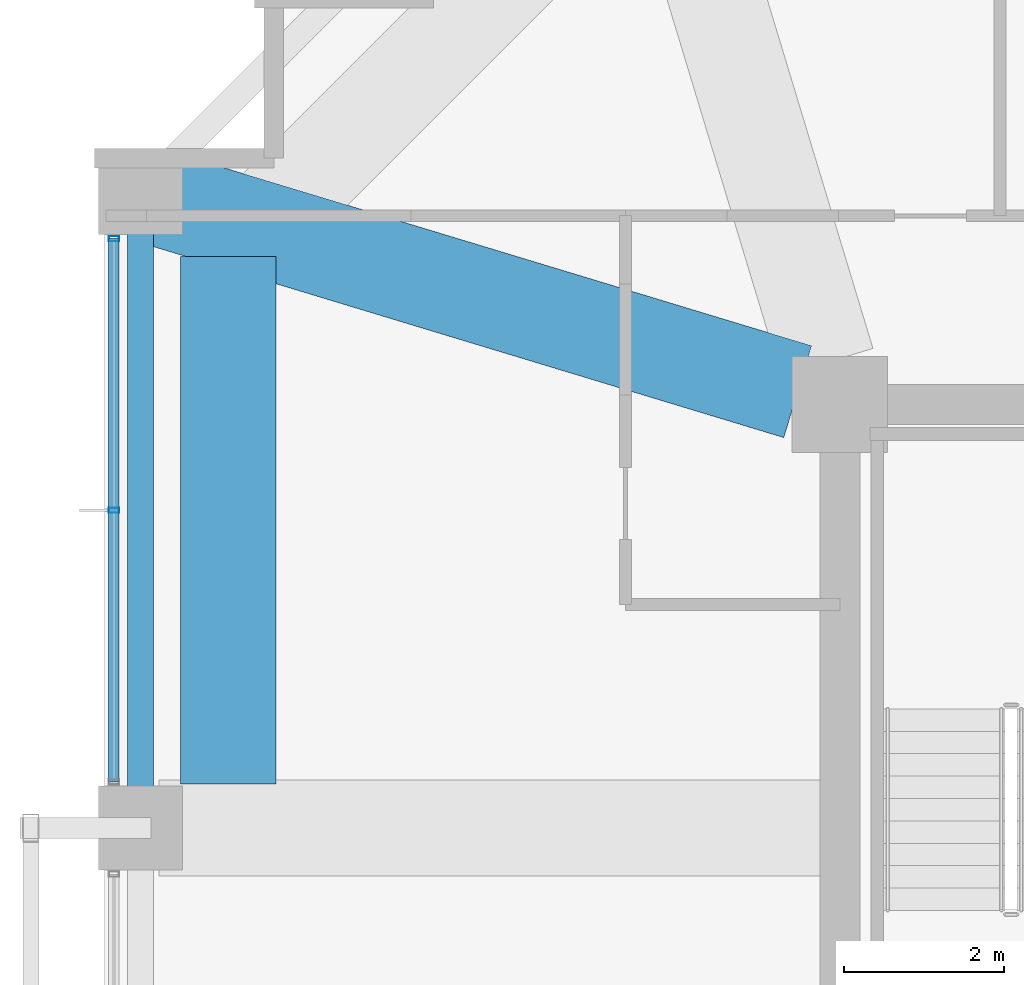
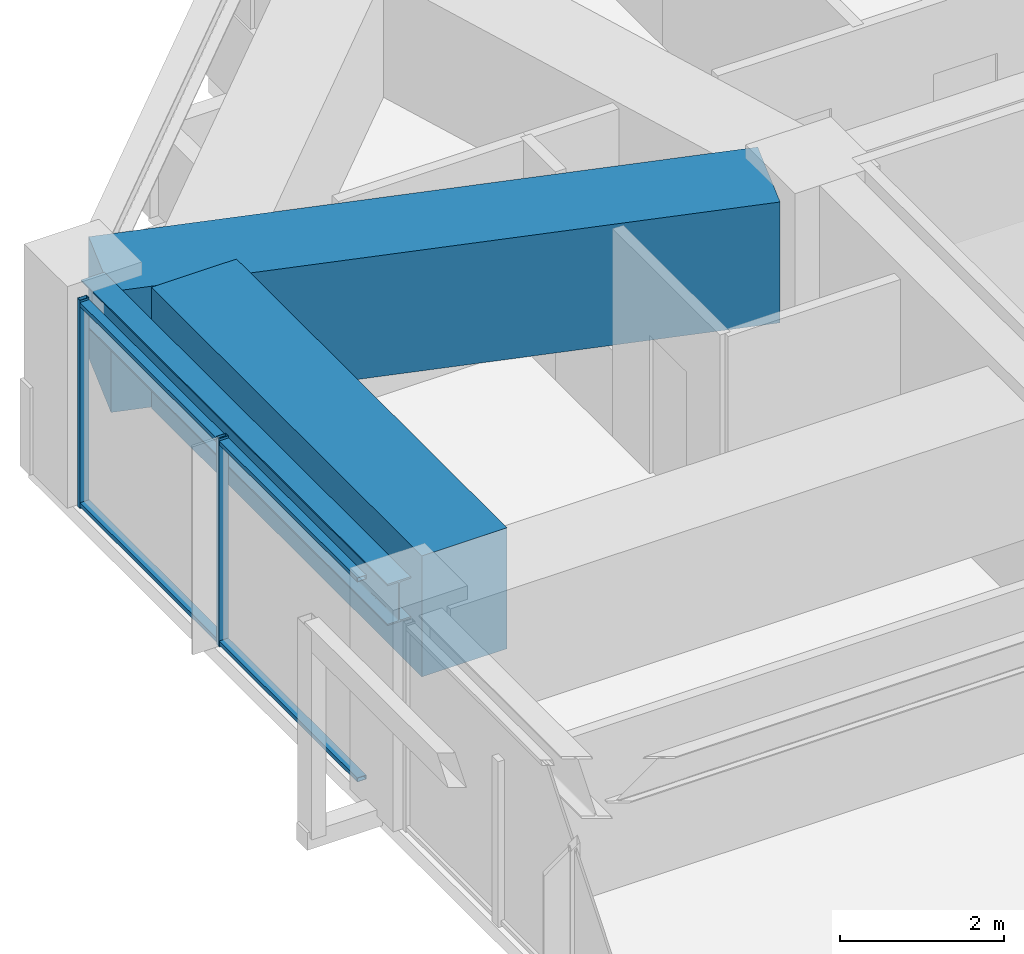
# One storey, part 9 of 28: 4 members, 3 beams, 1 element without a shape of its own.
"""IFC4 building model written with IfcOpenShell, lengths in metres."""

from ifc_helpers import new_model, si_unit, direction, frame, origin, origin_2d, place, context, subcontext, project, spatial, rectangle, hollow_rectangle, i_section, extrude, material, material_profile, profile_set, type_object, element, aggregate, save


model = new_model("IFC4")

# Units and contexts
model_context = context("Model", 3, precision=1e-05, world=origin(), true_north=direction((0.0, 1.0)))
body_context = subcontext(model_context, "Body", "Model", "MODEL_VIEW")
ifc_project = project(units=[si_unit("LENGTHUNIT", "METRE"), si_unit("AREAUNIT", "SQUARE_METRE"), si_unit("VOLUMEUNIT", "CUBIC_METRE"), si_unit("PLANEANGLEUNIT", "RADIAN"), si_unit("MASSUNIT", "GRAM", prefix="KILO")], contexts=[model_context])

# Site, building, storey
site_placement = place(None, origin())
site = spatial("IfcSite", under=ifc_project, at=site_placement, CompositionType="ELEMENT")
building_placement = place(site_placement, origin())
building = spatial("IfcBuilding", under=site, at=building_placement, Name="Kolvaren Belvedere", CompositionType="ELEMENT")
storey_placement = place(building_placement, frame((0.0, 0.0, 125.0)))
storey = spatial("IfcBuildingStorey", under=building, at=storey_placement, Name="L36", CompositionType="ELEMENT", Elevation=125.0)

# Beams
ifc_material_1 = material(Name="Structural steel ASTM A992 Grade 50", Category="steel")
ifc_material_profile_1 = material_profile(ifc_material_1, i_section(OverallWidth=0.324951171875, OverallDepth=0.615966796875, WebThickness=0.013916015625, FlangeThickness=0.021484375, FilletRadius=0.02001953125, at=origin_2d()), Name="W24X117")
ifc_profile_set_1 = profile_set([ifc_material_profile_1], Name="Structural steel ASTM A992 Grade 50")
beam_type_1 = type_object("IfcBeamType", Name="BM-SPAN-W24X117", PredefinedType="SPANDREL", material=ifc_profile_set_1)
beam_1_placement = place(storey_placement, frame((-18.64990234375, 12.313720703125, 2.7919921875), z_axis=(0.0, -1.0, 0.0), x_axis=(1.0, 0.0, 0.0)))
element("IfcBeam", 1, at=beam_1_placement, inside=storey, type_object=beam_type_1, Name="L36 Perimeter Spandrel W4-W3", PredefinedType="SPANDREL", context=body_context, shape_type="SweptSolid", body=[
    extrude(i_section(OverallWidth=0.324951171875, OverallDepth=0.615966796875, WebThickness=0.013916015625, FlangeThickness=0.021484375, FilletRadius=0.02001953125, at=origin_2d()), origin(), (0.0, 0.0, 1.0), 7.4775390625),
])
ifc_material_2 = material(Name="Concrete C50/60", Category="concrete")
ifc_material_profile_2 = material_profile(ifc_material_2, rectangle(XDim=1.199951171875, YDim=1.800048828125, at=origin_2d()), Name="RC 1200X1800")
ifc_profile_set_2 = profile_set([ifc_material_profile_2], Name="Concrete C50/60")
beam_type_2 = type_object("IfcBeamType", Name="BM-TG-1800", PredefinedType="BEAM", material=ifc_profile_set_2)
beam_2_placement = place(storey_placement, frame((-17.550048828125, 11.75, 2.199951171875), z_axis=(0.0, -1.0, 0.0), x_axis=(1.0, 0.0, 0.0)))
element("IfcBeam", 2, at=beam_2_placement, inside=storey, type_object=beam_type_2, Name="L36 Step Transfer Ring Girder W4-W3", PredefinedType="BEAM", context=body_context, shape_type="SweptSolid", body=[
    extrude(rectangle(XDim=1.199951171875, YDim=1.800048828125, at=origin_2d()), origin(), (0.0, 0.0, 1.0), 6.60009765625),
])
beam_3_placement = place(storey_placement, frame((-10.426513671875, 10.059326171875, 2.199951171875), z_axis=(-0.957069465398, 0.289858652454, 0.0), x_axis=(-0.289858652454, -0.957069465398, 0.0)))
element("IfcBeam", 3, at=beam_3_placement, inside=storey, type_object=beam_type_2, Name="L36 Corner Core-to-Perimeter Girder CC4-W4", PredefinedType="BEAM", context=body_context, shape_type="SweptSolid", body=[
    extrude(rectangle(XDim=1.199951171875, YDim=1.800048828125, at=origin_2d()), origin(), (0.0, 0.0, 1.0), 8.38232421875),
])

# Curtain wall, members
ifc_material_3 = material(Name="Anodised pale-metal aluminium AA 6063-T6", Category="aluminium")
curtain_wall_type = type_object("IfcCurtainWallType", Name="CW-Z3-WAIST", PredefinedType="NOTDEFINED", material=ifc_material_3)
curtain_wall_placement = place(storey_placement, origin())
curtain_wall = element("IfcCurtainWall", 4, at=curtain_wall_placement, inside=storey, type_object=curtain_wall_type, Name="L36 Unitised Curtain Wall FCW-L36-W-B3", PredefinedType="NOTDEFINED")
ifc_material_4 = material(Name="Anodised pale-metal aluminium AA 6063-T6", Category="aluminium")
ifc_material_profile_3 = material_profile(ifc_material_4, hollow_rectangle(XDim=0.06494140625, YDim=0.1298828125, WallThickness=0.00390625, at=origin_2d()), Name="ALU-MUL-130X65")
ifc_profile_set_3 = profile_set([ifc_material_profile_3], Name="Anodised pale-metal aluminium AA 6063-T6")
member_type_1 = type_object("IfcMemberType", Name="CW-MUL-130", PredefinedType="MULLION", material=ifc_profile_set_3)
member_1_placement = place(storey_placement, frame((-18.97998046875, 8.574951171875, 0.0), z_axis=(0.0, 0.0, 1.0), x_axis=(0.0, 1.0, 0.0)))
member_1 = element("IfcMember", 5, at=member_1_placement, type_object=member_type_1, Name="FCW-L36-W-B3 Unitised Mullion 2", PredefinedType="MULLION", context=body_context, shape_type="SweptSolid", body=[
    extrude(hollow_rectangle(XDim=0.06494140625, YDim=0.1298828125, WallThickness=0.00390625, at=origin_2d()), origin(), (0.0, 0.0, 1.0), 3.10009765625),
])
member_2_placement = place(storey_placement, frame((-18.97998046875, 11.972412109375, 0.0), z_axis=(0.0, 0.0, 1.0), x_axis=(0.0, 1.0, 0.0)))
member_2 = element("IfcMember", 6, at=member_2_placement, type_object=member_type_1, Name="FCW-L36-W-B3 Unitised Mullion 3", PredefinedType="MULLION", context=body_context, shape_type="SweptSolid", body=[
    extrude(hollow_rectangle(XDim=0.06494140625, YDim=0.1298828125, WallThickness=0.00390625, at=origin_2d()), origin(), (0.0, 0.0, 1.0), 3.10009765625),
])
ifc_material_5 = material(Name="Anodised pale-metal aluminium AA 6063-T6", Category="aluminium")
ifc_material_profile_4 = material_profile(ifc_material_5, hollow_rectangle(XDim=0.06005859375, YDim=0.1298828125, WallThickness=0.00390625, at=origin_2d()), Name="ALU-TRN-130X60")
ifc_profile_set_4 = profile_set([ifc_material_profile_4], Name="Anodised pale-metal aluminium AA 6063-T6")
member_type_2 = type_object("IfcMemberType", Name="CW-TRN-130", PredefinedType="USERDEFINED", material=ifc_profile_set_4)
member_3_placement = place(storey_placement, frame((-18.97998046875, 5.177490234375, 0.06005859375), z_axis=(0.0, 1.0, 0.0), x_axis=(0.0, 0.0, 1.0)))
member_3 = element("IfcMember", 7, at=member_3_placement, type_object=member_type_2, Name="FCW-L36-W-B3 Sill Transom", ObjectType="TRANSOM", PredefinedType="USERDEFINED", context=body_context, shape_type="SweptSolid", body=[
    extrude(hollow_rectangle(XDim=0.06005859375, YDim=0.1298828125, WallThickness=0.00390625, at=origin_2d()), origin(), (0.0, 0.0, 1.0), 6.794921875),
])
member_4_placement = place(storey_placement, frame((-18.97998046875, 5.177490234375, 3.0400390625), z_axis=(0.0, 1.0, 0.0), x_axis=(0.0, 0.0, 1.0)))
member_4 = element("IfcMember", 8, at=member_4_placement, type_object=member_type_2, Name="FCW-L36-W-B3 Head Transom", ObjectType="TRANSOM", PredefinedType="USERDEFINED", context=body_context, shape_type="SweptSolid", body=[
    extrude(hollow_rectangle(XDim=0.06005859375, YDim=0.1298828125, WallThickness=0.00390625, at=origin_2d()), origin(), (0.0, 0.0, 1.0), 6.794921875),
])
aggregate(curtain_wall, [member_1, member_2, member_3, member_4])

save(model, "model.ifc")
